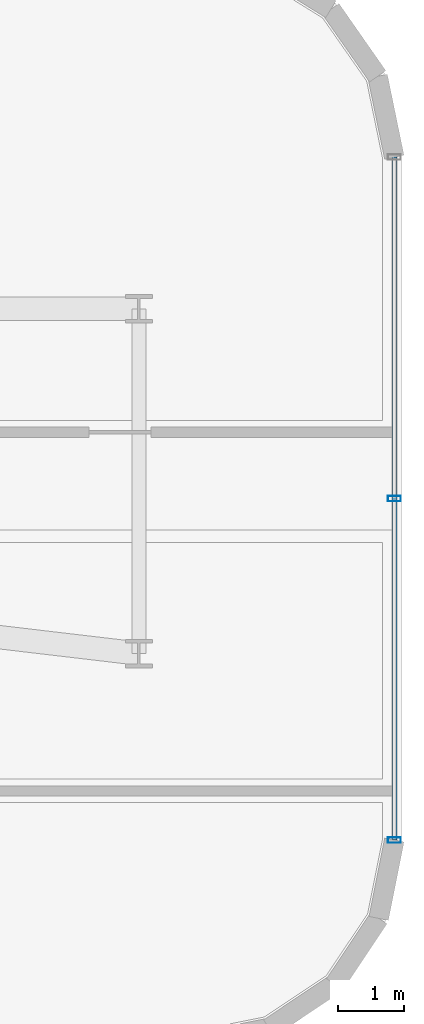
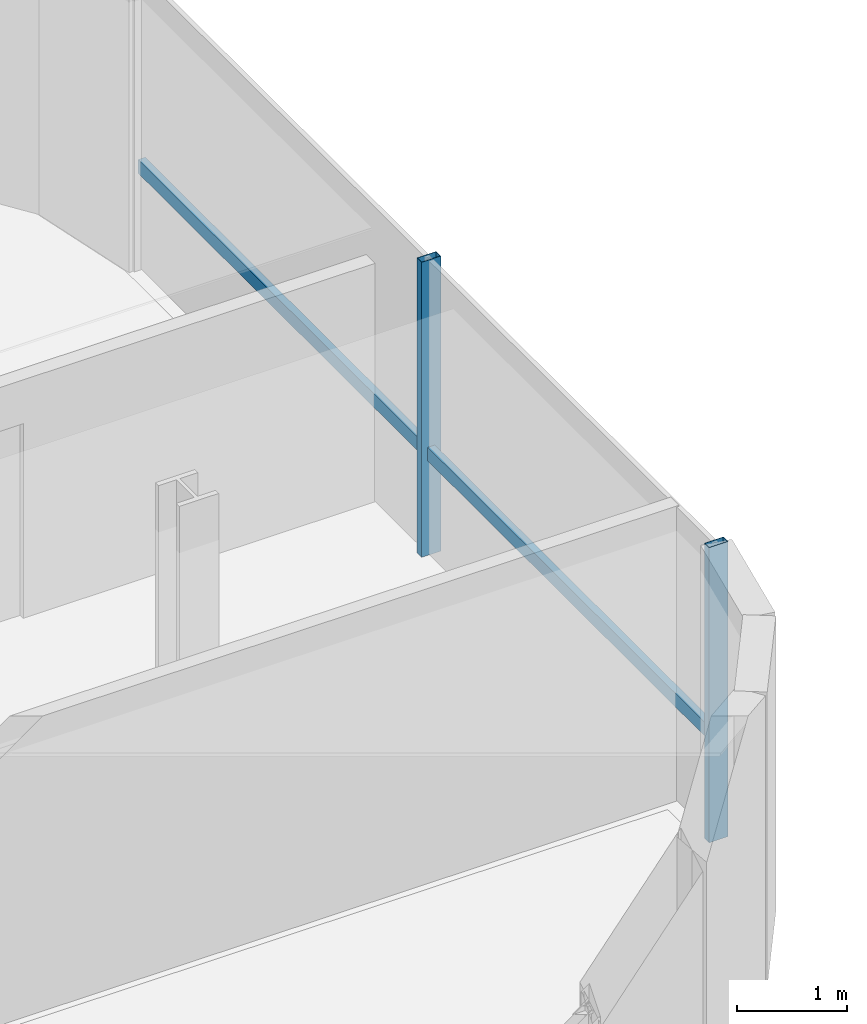
# One storey, part 10 of 22: 3 members, 1 element without a shape of its own.
"""IFC4 building model written with IfcOpenShell, lengths in metres."""

from ifc_helpers import new_model, si_unit, direction, frame, origin, origin_2d, place, context, subcontext, project, spatial, hollow_rectangle, extrude, source, transform, mapped, material, material_profile, profile_set, type_object, element, aggregate, save


model = new_model("IFC4")

# Units and contexts
model_context = context("Model", 3, precision=1e-05, world=origin(), true_north=direction((0.0, 1.0)))
body_context = subcontext(model_context, "Body", "Model", "MODEL_VIEW")
ifc_project = project(units=[si_unit("LENGTHUNIT", "METRE"), si_unit("AREAUNIT", "SQUARE_METRE"), si_unit("VOLUMEUNIT", "CUBIC_METRE"), si_unit("PLANEANGLEUNIT", "RADIAN"), si_unit("MASSUNIT", "GRAM", prefix="KILO")], contexts=[model_context])

# Site, building, storey
site_placement = place(None, origin())
site = spatial("IfcSite", under=ifc_project, at=site_placement, CompositionType="ELEMENT")
building_placement = place(site_placement, origin())
building = spatial("IfcBuilding", under=site, at=building_placement, Name="Valdorenza Pilgrim Sanctuary Tower", CompositionType="ELEMENT")
storey_placement = place(building_placement, frame((0.0, 0.0, 212.5)))
storey = spatial("IfcBuildingStorey", under=building, at=storey_placement, Name="L54", CompositionType="ELEMENT", Elevation=212.5)

# Curtain wall, members
ifc_material_1 = material(Name="Curtain-wall IGU glazing", Category="glass")
curtain_wall_type = type_object("IfcCurtainWallType", Name="CW-SYS-02", PredefinedType="NOTDEFINED", material=ifc_material_1)
curtain_wall_placement = place(storey_placement, origin())
curtain_wall = element("IfcCurtainWall", 1, at=curtain_wall_placement, inside=storey, type_object=curtain_wall_type, Name="L54 Curtain Wall CW-L54-1-11", PredefinedType="NOTDEFINED")
ifc_material_2 = material(Name="Anodised aluminium AW-6060", Category="aluminium")
ifc_material_profile_1 = material_profile(ifc_material_2, hollow_rectangle(XDim=0.0849609375, YDim=0.199951171875, WallThickness=0.0048828125, at=origin_2d()), Name="ALU-M 200x85x5")
ifc_profile_set_1 = profile_set([ifc_material_profile_1], Name="Anodised aluminium AW-6060")
member_type_1 = type_object("IfcMemberType", Name="CW-MUL-02", PredefinedType="MULLION", material=ifc_profile_set_1)
shared_shape_1 = source(origin(), body_context, "Body", "SweptSolid", [
    extrude(hollow_rectangle(XDim=0.0849609375, YDim=0.199951171875, WallThickness=0.0048828125, at=origin_2d()), origin(), (0.0, 0.0, 1.0), 3.260009765625),
])
member_1_placement = place(storey_placement, frame((0.389892578125, 11.9111328125, 0.0), z_axis=(0.0, 0.0, 1.0), x_axis=(0.0, -1.0, 0.0)))
member_1 = element("IfcMember", 2, at=member_1_placement, type_object=member_type_1, Name="CW-L54-1-11 Mullion 2", PredefinedType="MULLION", context=body_context, shape_type="MappedRepresentation", body=[
    mapped(shared_shape_1, transform((0.0, 0.0, 0.0), x_axis=(1.0, 0.0, 0.0), y_axis=(0.0, 1.0, 0.0), z_axis=(0.0, 0.0, 1.0), scale=1.0)),
])
member_2_placement = place(storey_placement, frame((0.389892578125, 6.710693359375, 0.0), z_axis=(0.0, 0.0, 1.0), x_axis=(0.0, -1.0, 0.0)))
member_2 = element("IfcMember", 3, at=member_2_placement, type_object=member_type_1, Name="CW-L54-1-11 Mullion 3", PredefinedType="MULLION", context=body_context, shape_type="MappedRepresentation", body=[
    mapped(shared_shape_1, transform((0.0, 0.0, 0.0), x_axis=(1.0, 0.0, 0.0), y_axis=(0.0, 1.0, 0.0), z_axis=(0.0, 0.0, 1.0), scale=1.0)),
])
ifc_material_profile_2 = material_profile(ifc_material_2, hollow_rectangle(XDim=0.074951171875, YDim=0.14990234375, WallThickness=0.00390625, at=origin_2d()), Name="ALU-T 150x75x4")
ifc_profile_set_2 = profile_set([ifc_material_profile_2], Name="Anodised aluminium AW-6060")
member_type_2 = type_object("IfcMemberType", Name="CW-TRN-02", PredefinedType="USERDEFINED", material=ifc_profile_set_2)
shared_shape_2 = source(origin(), body_context, "Body", "SweptSolid", [
    extrude(hollow_rectangle(XDim=0.074951171875, YDim=0.14990234375, WallThickness=0.00390625, at=origin_2d()), origin(), (0.0, 0.0, 1.0), 10.400634765625),
])
member_3_placement = place(storey_placement, frame((0.389892578125, 17.111328125, 1.1201171875), z_axis=(0.0, -1.0, 0.0), x_axis=(1.0, 0.0, 0.0)))
member_3 = element("IfcMember", 4, at=member_3_placement, type_object=member_type_2, Name="CW-L54-1-11 Transom 1", ObjectType="TRANSOM", PredefinedType="USERDEFINED", context=body_context, shape_type="MappedRepresentation", body=[
    mapped(shared_shape_2, transform((0.0, 0.0, 0.0), x_axis=(1.0, 0.0, 0.0), y_axis=(0.0, 1.0, 0.0), z_axis=(0.0, 0.0, 1.0), scale=1.0)),
])
aggregate(curtain_wall, [member_1, member_2, member_3])

save(model, "model.ifc")
